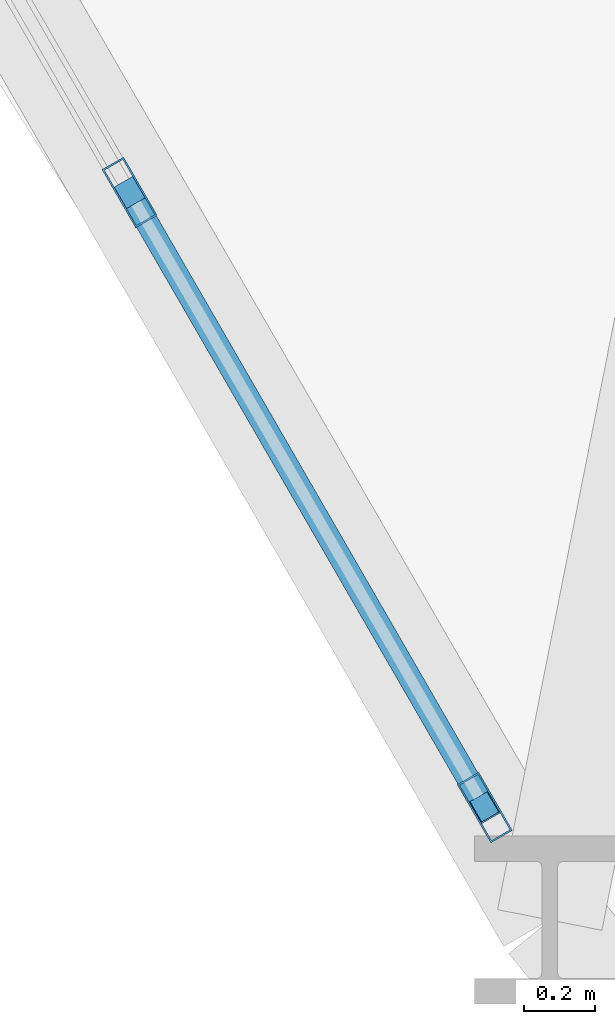
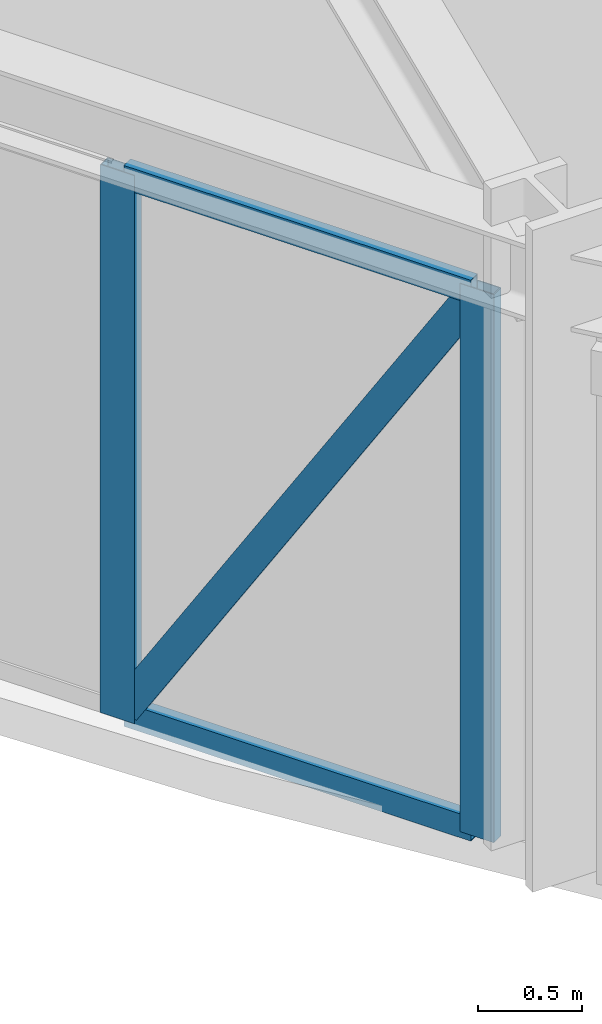
# One storey, part 2 of 20: 5 members, 1 element without a shape of its own.
"""IFC4 building model written with IfcOpenShell, lengths in metres."""

from ifc_helpers import new_model, si_unit, derived_unit, direction, frame, origin, origin_2d, place, context, subcontext, project, spatial, hollow_rectangle, extrude, source, transform, mapped, material, layer, layer_set, material_profile, profile_set, type_object, element, aggregate, save


model = new_model("IFC4")

# Units and contexts
model_context = context("Model", 3, precision=1e-05, world=origin(), true_north=direction((0.0, 1.0)))
body_context = subcontext(model_context, "Body", "Model", "MODEL_VIEW")
ifc_project = project(units=[si_unit("LENGTHUNIT", "METRE"), si_unit("AREAUNIT", "SQUARE_METRE"), si_unit("VOLUMEUNIT", "CUBIC_METRE"), si_unit("PLANEANGLEUNIT", "RADIAN"), si_unit("MASSUNIT", "GRAM", prefix="KILO"), derived_unit("THERMALTRANSMITTANCEUNIT", [(si_unit("POWERUNIT", "WATT"), 1), (si_unit("LENGTHUNIT", "METRE"), -2), (si_unit("THERMODYNAMICTEMPERATUREUNIT", "KELVIN"), -1)])], contexts=[model_context])

# Site, building, storey
site_placement = place(None, origin())
site = spatial("IfcSite", under=ifc_project, at=site_placement, CompositionType="ELEMENT")
building_placement = place(site_placement, origin())
building = spatial("IfcBuilding", under=site, at=building_placement, Name="Korsvarv Bourse and Concert Hall", CompositionType="ELEMENT")
storey_placement = place(building_placement, frame((0.0, 0.0, 75.60009765625)))
storey = spatial("IfcBuildingStorey", under=building, at=storey_placement, Name="L18", CompositionType="ELEMENT", Elevation=75.60009765625)

# Curtain wall, members
ifc_material_1 = material(Name="Anodised aluminium and triple low-E glazing", Category="glass")
ifc_layer = layer(ifc_material_1, 0.219970703125)
ifc_layer_set = layer_set([ifc_layer], Name="Anodised aluminium and triple low-E glazing")
curtain_wall_type = type_object("IfcCurtainWallType", Name="CW-SYS-1", PredefinedType="NOTDEFINED", material=ifc_layer_set)
curtain_wall_placement = place(storey_placement, origin())
curtain_wall = element("IfcCurtainWall", 1, at=curtain_wall_placement, inside=storey, type_object=curtain_wall_type, Name="L18 CW1 curtain wall CW-L18-F07", PredefinedType="NOTDEFINED")
ifc_material_2 = material(Name="Extruded aluminium EN AW-6063 T66", Category="aluminium")
ifc_material_profile_1 = material_profile(ifc_material_2, hollow_rectangle(XDim=0.070068359375, YDim=0.18994140625, WallThickness=0.0048828125, at=origin_2d()), Name="ALU-M 70x190")
ifc_profile_set_1 = profile_set([ifc_material_profile_1], Name="Extruded aluminium EN AW-6063 T66")
member_type_1 = type_object("IfcMemberType", Name="CWM-190", PredefinedType="MULLION", material=ifc_profile_set_1)
shared_shape_1 = source(origin(), body_context, "Body", "SweptSolid", [
    extrude(hollow_rectangle(XDim=0.070068359375, YDim=0.18994140625, WallThickness=0.0048828125, at=origin_2d()), origin(), (0.0, 0.0, 1.0), 3.22998046875),
])
member_1_placement = place(storey_placement, frame((25.54296875, 21.651123046875, 0.0), z_axis=(0.0, 0.0, 1.0), x_axis=(0.866024243871, 0.500002009023, 0.0)))
member_1 = element("IfcMember", 2, at=member_1_placement, type_object=member_type_1, Name="CW1 mullion 7", PredefinedType="MULLION", context=body_context, shape_type="MappedRepresentation", body=[
    mapped(shared_shape_1, transform((0.0, 0.0, 0.0), scale=1.0)),
])
member_2_placement = place(storey_placement, frame((26.545166015625, 19.91552734375, 0.0), z_axis=(0.0, 0.0, 1.0), x_axis=(0.866024243871, 0.500002009023, 0.0)))
member_2 = element("IfcMember", 3, at=member_2_placement, type_object=member_type_1, Name="CW1 mullion 8", PredefinedType="MULLION", context=body_context, shape_type="MappedRepresentation", body=[
    mapped(shared_shape_1, transform((0.0, 0.0, 0.0), scale=1.0)),
])
ifc_material_profile_2 = material_profile(ifc_material_2, hollow_rectangle(XDim=0.06494140625, YDim=0.139892578125, WallThickness=0.00390625, at=origin_2d()), Name="ALU-T 65x140")
ifc_profile_set_2 = profile_set([ifc_material_profile_2], Name="Extruded aluminium EN AW-6063 T66")
member_type_2 = type_object("IfcMemberType", Name="CWT-140", PredefinedType="USERDEFINED", material=ifc_profile_set_2)
shared_shape_2 = source(origin(), body_context, "Body", "SweptSolid", [
    extrude(hollow_rectangle(XDim=0.06494140625, YDim=0.139892578125, WallThickness=0.00390625, at=origin_2d()), origin(), (0.0, 0.0, 1.0), 1.93408203125),
])
member_3_placement = place(storey_placement, frame((25.560546875, 21.620849609375, 0.032470703125), z_axis=(0.499981047344, -0.866036345829, 0.0), x_axis=(0.866036345829, 0.499981047344, 0.0)))
member_3 = element("IfcMember", 4, at=member_3_placement, type_object=member_type_2, Name="CW1 transom 7.1", ObjectType="TRANSOM", PredefinedType="USERDEFINED", context=body_context, shape_type="MappedRepresentation", body=[
    mapped(shared_shape_2, transform((0.0, 0.0, 0.0), scale=1.0)),
])
member_4_placement = place(storey_placement, frame((25.560546875, 21.620849609375, 3.197509765625), z_axis=(0.499981047344, -0.866036345829, 0.0), x_axis=(0.866036345829, 0.499981047344, 0.0)))
member_4 = element("IfcMember", 5, at=member_4_placement, type_object=member_type_2, Name="CW1 transom 7.2", ObjectType="TRANSOM", PredefinedType="USERDEFINED", context=body_context, shape_type="MappedRepresentation", body=[
    mapped(shared_shape_2, transform((0.0, 0.0, 0.0), scale=1.0)),
])
ifc_material_profile_3 = material_profile(ifc_material_2, hollow_rectangle(XDim=0.06494140625, YDim=0.1650390625, WallThickness=0.0048828125, at=origin_2d()), Name="ALU-M 65x165")
ifc_profile_set_3 = profile_set([ifc_material_profile_3], Name="Extruded aluminium EN AW-6063 T66")
member_type_3 = type_object("IfcMemberType", Name="CWM-165", PredefinedType="MULLION", material=ifc_profile_set_3)
shared_shape_3 = source(origin(), body_context, "Body", "SweptSolid", [
    extrude(hollow_rectangle(XDim=0.06494140625, YDim=0.1650390625, WallThickness=0.0048828125, at=origin_2d()), origin(), (0.0, 0.0, 1.0), 3.65380859375),
])
member_5_placement = place(storey_placement, frame((25.560546875, 21.620849609375, 0.06494140625), z_axis=(0.264669239275, -0.458443739123, 0.848398215369), x_axis=(0.866036345829, 0.499981047344, 0.0)))
member_5 = element("IfcMember", 6, at=member_5_placement, type_object=member_type_3, Name="CW1 diagonal mullion 7", PredefinedType="MULLION", context=body_context, shape_type="MappedRepresentation", body=[
    mapped(shared_shape_3, transform((0.0, 0.0, 0.0), scale=1.0)),
])
aggregate(curtain_wall, [member_1, member_2, member_3, member_4, member_5])

save(model, "model.ifc")
